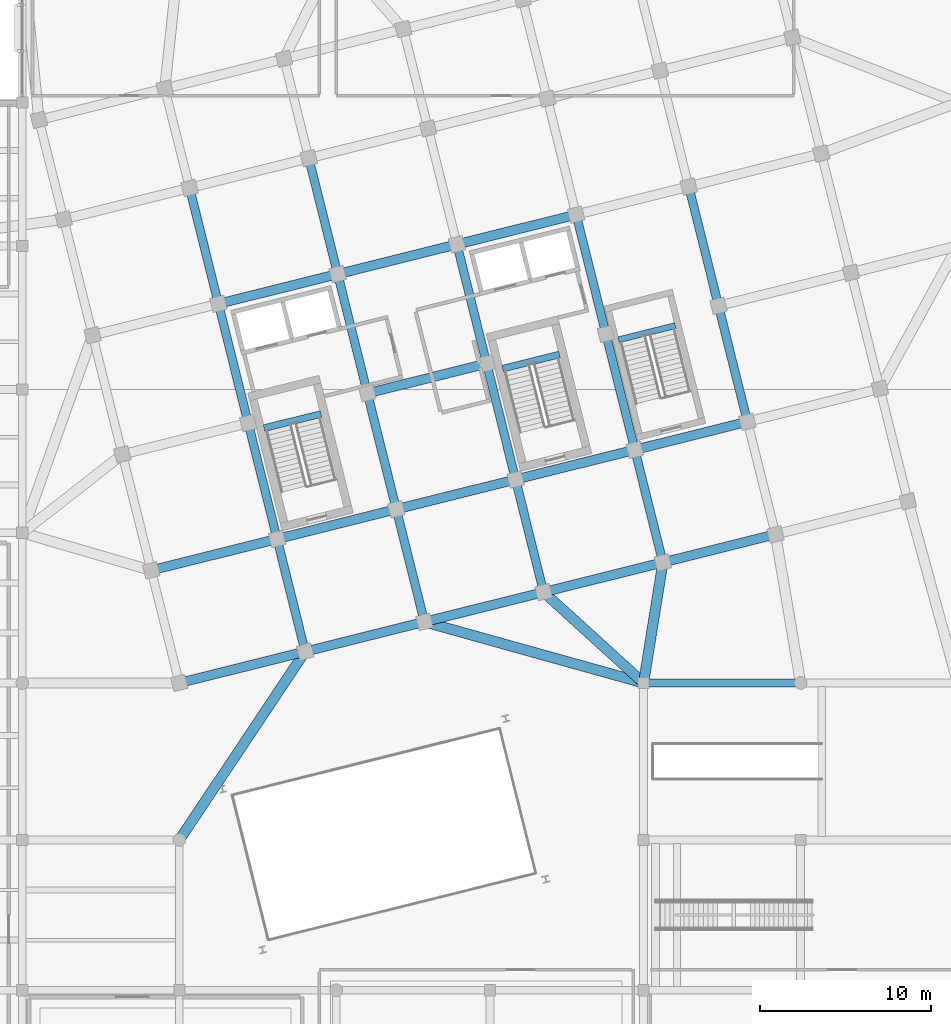
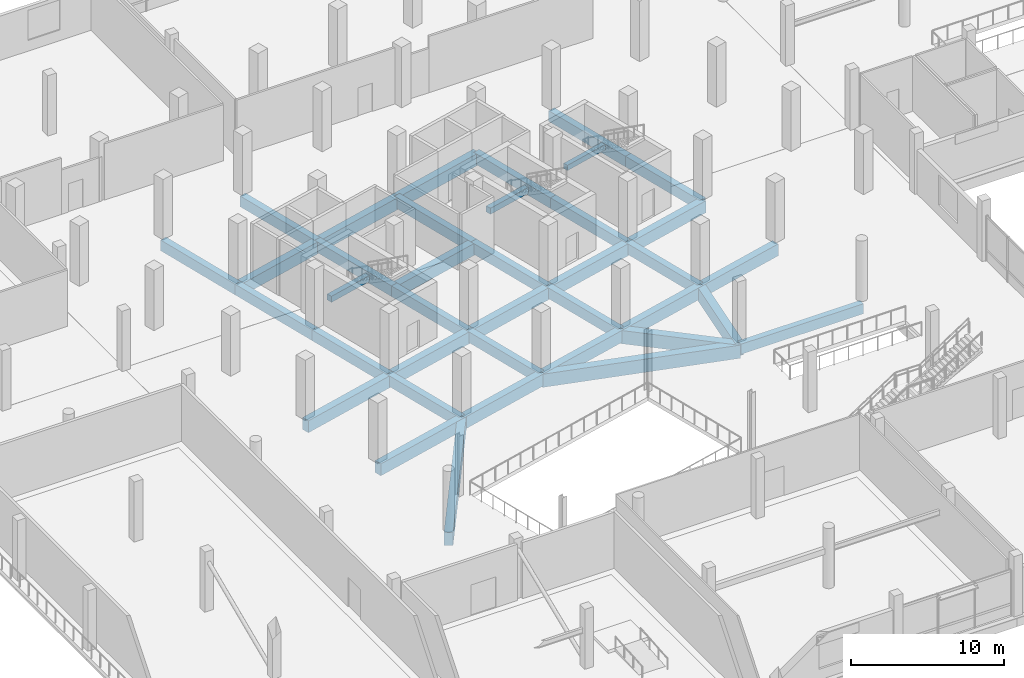
# One storey, part 22 of 71: 38 beams.
"""IFC4 building model written with IfcOpenShell, lengths in metres."""

from ifc_helpers import new_model, si_unit, direction, frame, origin, origin_2d, place, context, subcontext, project, spatial, rectangle, extrude, material, material_profile, profile_set, type_object, element, save


model = new_model("IFC4")

# Units and contexts
model_context = context("Model", 3, precision=1e-05, world=origin(), true_north=direction((0.0, 1.0)))
body_context = subcontext(model_context, "Body", "Model", "MODEL_VIEW")
ifc_project = project(units=[si_unit("LENGTHUNIT", "METRE"), si_unit("AREAUNIT", "SQUARE_METRE"), si_unit("VOLUMEUNIT", "CUBIC_METRE"), si_unit("PLANEANGLEUNIT", "RADIAN"), si_unit("MASSUNIT", "GRAM", prefix="KILO")], contexts=[model_context])

# Site, building, storey
site_placement = place(None, origin())
site = spatial("IfcSite", under=ifc_project, at=site_placement, CompositionType="ELEMENT")
building_placement = place(site_placement, origin())
building = spatial("IfcBuilding", under=site, at=building_placement, Name="Meriwether Solvik Hall", CompositionType="ELEMENT")
storey_placement = place(building_placement, frame((0.0, 0.0, 5.10009765625)))
storey = spatial("IfcBuildingStorey", under=building, at=storey_placement, Name="L01", CompositionType="ELEMENT", Elevation=5.10009765625)

# Beams
ifc_material_1 = material(Name="Concrete C40/50", Category="concrete")
ifc_material_profile_1 = material_profile(ifc_material_1, rectangle(XDim=0.35009765625, YDim=0.419921875, at=origin_2d()), Name="RCB-350X420")
ifc_profile_set_1 = profile_set([ifc_material_profile_1], Name="Concrete C40/50")
beam_type_1 = type_object("IfcBeamType", Name="BM-LND-RC-350X420", PredefinedType="BEAM", material=ifc_profile_set_1)
beam_1_placement = place(storey_placement, frame((94.330078125, 61.306884765625, 1.989990234375), z_axis=(0.970288447449, 0.24195108751, 0.0), x_axis=(-0.24195108751, 0.970288447449, 0.0)))
element("IfcBeam", 1, at=beam_1_placement, inside=storey, type_object=beam_type_1, Name="Stair ST-03 Half-Landing Header Beam (L01)", PredefinedType="BEAM", context=body_context, shape_type="SweptSolid", body=[
    extrude(rectangle(XDim=0.35009765625, YDim=0.419921875, at=origin_2d()), origin(), (0.0, 0.0, 1.0), 3.43994140625),
])
ifc_material_2 = material(Name="Concrete C40/50", Category="concrete")
ifc_material_profile_2 = material_profile(ifc_material_2, rectangle(XDim=0.39990234375, YDim=0.47998046875, at=origin_2d()), Name="RCB-400X480")
ifc_profile_set_2 = profile_set([ifc_material_profile_2], Name="Concrete C40/50")
beam_type_2 = type_object("IfcBeamType", Name="BM-LND-RC-400X480", PredefinedType="BEAM", material=ifc_profile_set_2)
for number, where, z_axis, x_axis, name in (
    (2, (73.565673828125, 56.1298828125, 1.9599609375), (0.970309259708, 0.2418676095, 0.0), (-0.2418676095, 0.970309259708, 0.0), "Stair ST-01 Half-Landing Header Beam (L01)"),
    (3, (87.537841796875, 59.613525390625, 1.9599609375), (0.970309259708, 0.2418676095, 0.0), (-0.2418676095, 0.970309259708, 0.0), "Stair ST-02 Half-Landing Header Beam (L01)"),
):
    element("IfcBeam", number, at=place(storey_placement, frame(where, z_axis=z_axis, x_axis=x_axis)), inside=storey, type_object=beam_type_2, Name=name, PredefinedType="BEAM", context=body_context, shape_type="SweptSolid", body=[
        extrude(rectangle(XDim=0.39990234375, YDim=0.47998046875, at=origin_2d()), origin(), (0.0, 0.0, 1.0), 3.43994140625),
    ])
ifc_material_3 = material(Name="Concrete C40/50", Category="concrete")
ifc_material_profile_3 = material_profile(ifc_material_3, rectangle(XDim=0.449951171875, YDim=0.800048828125, at=origin_2d()), Name="RCB-450X800")
ifc_profile_set_3 = profile_set([ifc_material_profile_3], Name="Concrete C40/50")
beam_type_3 = type_object("IfcBeamType", Name="BM-RC-450X800", PredefinedType="BEAM", material=ifc_profile_set_3)
beam_2_placement = place(storey_placement, frame((95.800048828125, 41.199951171875, -0.7001953125), z_axis=(1.0, 0.0, 0.0), x_axis=(0.0, 1.0, 0.0)))
element("IfcBeam", 4, at=beam_2_placement, inside=storey, type_object=beam_type_3, Name="Podium Girder E:11-12 (L01)", PredefinedType="BEAM", context=body_context, shape_type="SweptSolid", body=[
    extrude(rectangle(XDim=0.449951171875, YDim=0.800048828125, at=origin_2d()), origin(), (0.0, 0.0, 1.0), 9.199951171875),
])
ifc_material_4 = material(Name="Concrete C40/50", Category="concrete")
ifc_material_profile_4 = material_profile(ifc_material_4, rectangle(XDim=0.5, YDim=0.85009765625, at=origin_2d()), Name="RCB-500X850")
ifc_profile_set_4 = profile_set([ifc_material_profile_4], Name="Concrete C40/50")
beam_type_4 = type_object("IfcBeamType", Name="BM-RC-500X850", PredefinedType="BEAM", material=ifc_profile_set_4)
beam_3_placement = place(storey_placement, frame((75.974365234375, 43.03857421875, -0.72509765625), z_axis=(-0.241944251278, 0.970290152106, 0.0), x_axis=(-0.970290152106, -0.241944251278, 0.0)))
element("IfcBeam", 5, at=beam_3_placement, inside=storey, type_object=beam_type_4, Name="Tower Girder T2:TA-TB (L01)", PredefinedType="BEAM", context=body_context, shape_type="SweptSolid", body=[
    extrude(rectangle(XDim=0.5, YDim=0.85009765625, at=origin_2d()), origin(), (0.0, 0.0, 1.0), 6.80029296875),
])
beam_4_placement = place(storey_placement, frame((74.3291015625, 49.63671875, -0.72509765625), z_axis=(-0.241911879182, 0.970298223594, 0.0), x_axis=(-0.970298223594, -0.241911879182, 0.0)))
element("IfcBeam", 6, at=beam_4_placement, inside=storey, type_object=beam_type_4, Name="Tower Girder T2:TB-TC (L01)", PredefinedType="BEAM", context=body_context, shape_type="SweptSolid", body=[
    extrude(rectangle(XDim=0.5, YDim=0.85009765625, at=origin_2d()), origin(), (0.0, 0.0, 1.0), 7.0),
])
beam_5_placement = place(storey_placement, frame((72.6357421875, 56.4287109375, -0.72509765625), z_axis=(-0.241937193493, 0.970291911955, 0.0), x_axis=(-0.970291911955, -0.241937193493, 0.0)))
element("IfcBeam", 7, at=beam_5_placement, inside=storey, type_object=beam_type_4, Name="Tower Girder T2:TC-TD (L01)", PredefinedType="BEAM", context=body_context, shape_type="SweptSolid", body=[
    extrude(rectangle(XDim=0.5, YDim=0.85009765625, at=origin_2d()), origin(), (0.0, 0.0, 1.0), 7.199951171875),
])
beam_6_placement = place(storey_placement, frame((70.893798828125, 63.414794921875, -0.72509765625), z_axis=(-0.241911879182, 0.970298223594, 0.0), x_axis=(-0.970298223594, -0.241911879182, 0.0)))
element("IfcBeam", 8, at=beam_6_placement, inside=storey, type_object=beam_type_4, Name="Tower Girder T2:TD-TE (L01)", PredefinedType="BEAM", context=body_context, shape_type="SweptSolid", body=[
    extrude(rectangle(XDim=0.5, YDim=0.85009765625, at=origin_2d()), origin(), (0.0, 0.0, 1.0), 7.0),
])
beam_7_placement = place(storey_placement, frame((82.96044921875, 44.780517578125, -0.72509765625), z_axis=(-0.241918877831, 0.970296478685, 0.0), x_axis=(-0.970296478685, -0.241918877831, 0.0)))
element("IfcBeam", 9, at=beam_7_placement, inside=storey, type_object=beam_type_4, Name="Tower Girder T3:TA-TB (L01)", PredefinedType="BEAM", context=body_context, shape_type="SweptSolid", body=[
    extrude(rectangle(XDim=0.5, YDim=0.85009765625, at=origin_2d()), origin(), (0.0, 0.0, 1.0), 6.7998046875),
])
beam_8_placement = place(storey_placement, frame((81.3154296875, 51.37841796875, -0.72509765625), z_axis=(-0.241944715397, 0.970290036376, 0.0), x_axis=(-0.970290036376, -0.241944715397, 0.0)))
element("IfcBeam", 10, at=beam_8_placement, inside=storey, type_object=beam_type_4, Name="Tower Girder T3:TB-TC (L01)", PredefinedType="BEAM", context=body_context, shape_type="SweptSolid", body=[
    extrude(rectangle(XDim=0.5, YDim=0.85009765625, at=origin_2d()), origin(), (0.0, 0.0, 1.0), 7.0),
])
beam_9_placement = place(storey_placement, frame((79.621826171875, 58.17041015625, -0.72509765625), z_axis=(-0.241897310542, 0.970301855688, 0.0), x_axis=(-0.970301855688, -0.241897310542, 0.0)))
element("IfcBeam", 11, at=beam_9_placement, inside=storey, type_object=beam_type_4, Name="Tower Girder T3:TC-TD (L01)", PredefinedType="BEAM", context=body_context, shape_type="SweptSolid", body=[
    extrude(rectangle(XDim=0.5, YDim=0.85009765625, at=origin_2d()), origin(), (0.0, 0.0, 1.0), 7.2001953125),
])
beam_10_placement = place(storey_placement, frame((77.880126953125, 65.15673828125, -0.72509765625), z_axis=(-0.241944715397, 0.970290036376, 0.0), x_axis=(-0.970290036376, -0.241944715397, 0.0)))
element("IfcBeam", 12, at=beam_10_placement, inside=storey, type_object=beam_type_4, Name="Tower Girder T3:TD-TE (L01)", PredefinedType="BEAM", context=body_context, shape_type="SweptSolid", body=[
    extrude(rectangle(XDim=0.5, YDim=0.85009765625, at=origin_2d()), origin(), (0.0, 0.0, 1.0), 7.0),
])
beam_11_placement = place(storey_placement, frame((89.946533203125, 46.522216796875, -0.72509765625), z_axis=(-0.24191045034, 0.970298579828, 0.0), x_axis=(-0.970298579828, -0.24191045034, 0.0)))
element("IfcBeam", 13, at=beam_11_placement, inside=storey, type_object=beam_type_4, Name="Tower Girder T4:TA-TB (L01)", PredefinedType="BEAM", context=body_context, shape_type="SweptSolid", body=[
    extrude(rectangle(XDim=0.5, YDim=0.85009765625, at=origin_2d()), origin(), (0.0, 0.0, 1.0), 6.800048828125),
])
beam_12_placement = place(storey_placement, frame((88.301513671875, 53.120361328125, -0.72509765625), z_axis=(-0.241944715397, 0.970290036376, 0.0), x_axis=(-0.970290036376, -0.241944715397, 0.0)))
element("IfcBeam", 14, at=beam_12_placement, inside=storey, type_object=beam_type_4, Name="Tower Girder T4:TB-TC (L01)", PredefinedType="BEAM", context=body_context, shape_type="SweptSolid", body=[
    extrude(rectangle(XDim=0.5, YDim=0.85009765625, at=origin_2d()), origin(), (0.0, 0.0, 1.0), 7.0),
])
beam_13_placement = place(storey_placement, frame((86.60791015625, 59.912353515625, -0.72509765625), z_axis=(-0.241905269381, 0.970299871507, 0.0), x_axis=(-0.970299871507, -0.241905269381, 0.0)))
element("IfcBeam", 15, at=beam_13_placement, inside=storey, type_object=beam_type_4, Name="Tower Girder T4:TC-TD (L01)", PredefinedType="BEAM", context=body_context, shape_type="SweptSolid", body=[
    extrude(rectangle(XDim=0.5, YDim=0.85009765625, at=origin_2d()), origin(), (0.0, 0.0, 1.0), 7.199951171875),
])
beam_14_placement = place(storey_placement, frame((96.9326171875, 48.26416015625, -0.72509765625), z_axis=(-0.241918877831, 0.970296478685, 0.0), x_axis=(-0.970296478685, -0.241918877831, 0.0)))
element("IfcBeam", 16, at=beam_14_placement, inside=storey, type_object=beam_type_4, Name="Tower Girder T5:TA-TB (L01)", PredefinedType="BEAM", context=body_context, shape_type="SweptSolid", body=[
    extrude(rectangle(XDim=0.5, YDim=0.85009765625, at=origin_2d()), origin(), (0.0, 0.0, 1.0), 6.7998046875),
])
beam_15_placement = place(storey_placement, frame((95.28759765625, 54.862060546875, -0.72509765625), z_axis=(-0.241936527961, 0.970292077901, 0.0), x_axis=(-0.970292077901, -0.241936527961, 0.0)))
element("IfcBeam", 17, at=beam_15_placement, inside=storey, type_object=beam_type_4, Name="Tower Girder T5:TB-TC (L01)", PredefinedType="BEAM", context=body_context, shape_type="SweptSolid", body=[
    extrude(rectangle(XDim=0.5, YDim=0.85009765625, at=origin_2d()), origin(), (0.0, 0.0, 1.0), 7.000244140625),
])
beam_16_placement = place(storey_placement, frame((93.593994140625, 61.654296875, -0.72509765625), z_axis=(-0.241905269381, 0.970299871507, 0.0), x_axis=(-0.970299871507, -0.241905269381, 0.0)))
element("IfcBeam", 18, at=beam_16_placement, inside=storey, type_object=beam_type_4, Name="Tower Girder T5:TC-TD (L01)", PredefinedType="BEAM", context=body_context, shape_type="SweptSolid", body=[
    extrude(rectangle(XDim=0.5, YDim=0.85009765625, at=origin_2d()), origin(), (0.0, 0.0, 1.0), 7.199951171875),
])
beam_17_placement = place(storey_placement, frame((101.885498046875, 56.507080078125, -0.72509765625), z_axis=(-0.241903692719, 0.970300264582, 0.0), x_axis=(-0.970300264582, -0.241903692719, 0.0)))
element("IfcBeam", 19, at=beam_17_placement, inside=storey, type_object=beam_type_4, Name="Tower Girder T6:TB-TC (L01)", PredefinedType="BEAM", context=body_context, shape_type="SweptSolid", body=[
    extrude(rectangle(XDim=0.5, YDim=0.85009765625, at=origin_2d()), origin(), (0.0, 0.0, 1.0), 7.000244140625),
])
beam_18_placement = place(storey_placement, frame((100.192138671875, 63.29931640625, -0.72509765625), z_axis=(-0.241937193493, 0.970291911955, 0.0), x_axis=(-0.970291911955, -0.241937193493, 0.0)))
element("IfcBeam", 20, at=beam_18_placement, inside=storey, type_object=beam_type_4, Name="Tower Girder T6:TC-TD (L01)", PredefinedType="BEAM", context=body_context, shape_type="SweptSolid", body=[
    extrude(rectangle(XDim=0.5, YDim=0.85009765625, at=origin_2d()), origin(), (0.0, 0.0, 1.0), 7.199951171875),
])
ifc_material_5 = material(Name="Concrete C40/50", Category="concrete")
ifc_material_profile_5 = material_profile(ifc_material_5, rectangle(XDim=0.550048828125, YDim=0.949951171875, at=origin_2d()), Name="RCB-550X950")
ifc_profile_set_5 = profile_set([ifc_material_profile_5], Name="Concrete C40/50")
beam_type_5 = type_object("IfcBeamType", Name="BM-RC-550X950", PredefinedType="BEAM", material=ifc_profile_set_5)
beam_19_placement = place(storey_placement, frame((68.60009765625, 41.199951171875, -0.775146484375), z_axis=(0.970295366785, 0.241923337436, 0.0), x_axis=(-0.241923337436, 0.970295366785, 0.0)))
element("IfcBeam", 21, at=beam_19_placement, inside=storey, type_object=beam_type_5, Name="Tower Girder TA:T1-T2 (L01)", PredefinedType="BEAM", context=body_context, shape_type="SweptSolid", body=[
    extrude(rectangle(XDim=0.550048828125, YDim=0.949951171875, at=origin_2d()), origin(), (0.0, 0.0, 1.0), 7.60009765625),
])
for number, where, z_axis, x_axis, name in (
    (22, (75.974365234375, 43.03857421875, -0.775146484375), (0.970291911955, 0.241937193493, 0.0), (-0.241937193493, 0.970291911955, 0.0), "Tower Girder TA:T2-T3 (L01)"),
    (23, (82.96044921875, 44.780517578125, -0.775146484375), (0.970299871507, 0.241905269381, 0.0), (-0.241905269381, 0.970299871507, 0.0), "Tower Girder TA:T3-T4 (L01)"),
    (24, (89.946533203125, 46.522216796875, -0.775146484375), (0.970291911955, 0.241937193493, 0.0), (-0.241937193493, 0.970291911955, 0.0), "Tower Girder TA:T4-T5 (L01)"),
):
    element("IfcBeam", number, at=place(storey_placement, frame(where, z_axis=z_axis, x_axis=x_axis)), inside=storey, type_object=beam_type_5, Name=name, PredefinedType="BEAM", context=body_context, shape_type="SweptSolid", body=[
        extrude(rectangle(XDim=0.550048828125, YDim=0.949951171875, at=origin_2d()), origin(), (0.0, 0.0, 1.0), 7.199951171875),
    ])
beam_20_placement = place(storey_placement, frame((96.9326171875, 48.26416015625, -0.775146484375), z_axis=(0.970298579828, 0.24191045034, 0.0), x_axis=(-0.24191045034, 0.970298579828, 0.0)))
element("IfcBeam", 25, at=beam_20_placement, inside=storey, type_object=beam_type_5, Name="Tower Girder TA:T5-T6 (L01)", PredefinedType="BEAM", context=body_context, shape_type="SweptSolid", body=[
    extrude(rectangle(XDim=0.550048828125, YDim=0.949951171875, at=origin_2d()), origin(), (0.0, 0.0, 1.0), 6.800048828125),
])
beam_21_placement = place(storey_placement, frame((66.954833984375, 47.798095703125, -0.775146484375), z_axis=(0.970295366785, 0.241923337436, 0.0), x_axis=(-0.241923337436, 0.970295366785, 0.0)))
element("IfcBeam", 26, at=beam_21_placement, inside=storey, type_object=beam_type_5, Name="Tower Girder TB:T1-T2 (L01)", PredefinedType="BEAM", context=body_context, shape_type="SweptSolid", body=[
    extrude(rectangle(XDim=0.550048828125, YDim=0.949951171875, at=origin_2d()), origin(), (0.0, 0.0, 1.0), 7.60009765625),
])
beam_22_placement = place(storey_placement, frame((74.3291015625, 49.63671875, -0.775146484375), z_axis=(0.970301855688, 0.241897310542, 0.0), x_axis=(-0.241897310542, 0.970301855688, 0.0)))
element("IfcBeam", 27, at=beam_22_placement, inside=storey, type_object=beam_type_5, Name="Tower Girder TB:T2-T3 (L01)", PredefinedType="BEAM", context=body_context, shape_type="SweptSolid", body=[
    extrude(rectangle(XDim=0.550048828125, YDim=0.949951171875, at=origin_2d()), origin(), (0.0, 0.0, 1.0), 7.2001953125),
])
for number, where, z_axis, x_axis, name in (
    (28, (81.3154296875, 51.37841796875, -0.775146484375), (0.970291911955, 0.241937193493, 0.0), (-0.241937193493, 0.970291911955, 0.0), "Tower Girder TB:T3-T4 (L01)"),
    (29, (88.301513671875, 53.120361328125, -0.775146484375), (0.970299871507, 0.241905269381, 0.0), (-0.241905269381, 0.970299871507, 0.0), "Tower Girder TB:T4-T5 (L01)"),
):
    element("IfcBeam", number, at=place(storey_placement, frame(where, z_axis=z_axis, x_axis=x_axis)), inside=storey, type_object=beam_type_5, Name=name, PredefinedType="BEAM", context=body_context, shape_type="SweptSolid", body=[
        extrude(rectangle(XDim=0.550048828125, YDim=0.949951171875, at=origin_2d()), origin(), (0.0, 0.0, 1.0), 7.199951171875),
    ])
beam_23_placement = place(storey_placement, frame((95.28759765625, 54.862060546875, -0.775146484375), z_axis=(0.970296478685, 0.241918877831, 0.0), x_axis=(-0.241918877831, 0.970296478685, 0.0)))
element("IfcBeam", 30, at=beam_23_placement, inside=storey, type_object=beam_type_5, Name="Tower Girder TB:T5-T6 (L01)", PredefinedType="BEAM", context=body_context, shape_type="SweptSolid", body=[
    extrude(rectangle(XDim=0.550048828125, YDim=0.949951171875, at=origin_2d()), origin(), (0.0, 0.0, 1.0), 6.7998046875),
])
beam_24_placement = place(storey_placement, frame((79.621826171875, 58.17041015625, -0.775146484375), z_axis=(0.970291911955, 0.241937193493, 0.0), x_axis=(-0.241937193493, 0.970291911955, 0.0)))
element("IfcBeam", 31, at=beam_24_placement, inside=storey, type_object=beam_type_5, Name="Tower Girder TC:T3-T4 (L01)", PredefinedType="BEAM", context=body_context, shape_type="SweptSolid", body=[
    extrude(rectangle(XDim=0.550048828125, YDim=0.949951171875, at=origin_2d()), origin(), (0.0, 0.0, 1.0), 7.199951171875),
])
beam_25_placement = place(storey_placement, frame((70.893798828125, 63.414794921875, -0.775146484375), z_axis=(0.970293896644, 0.241929233735, 0.0), x_axis=(-0.241929233735, 0.970293896644, 0.0)))
element("IfcBeam", 32, at=beam_25_placement, inside=storey, type_object=beam_type_5, Name="Tower Girder TD:T2-T3 (L01)", PredefinedType="BEAM", context=body_context, shape_type="SweptSolid", body=[
    extrude(rectangle(XDim=0.550048828125, YDim=0.949951171875, at=origin_2d()), origin(), (0.0, 0.0, 1.0), 7.2001953125),
])
for number, where, z_axis, x_axis, name in (
    (33, (77.880126953125, 65.15673828125, -0.775146484375), (0.970299871507, 0.241905269381, 0.0), (-0.241905269381, 0.970299871507, 0.0), "Tower Girder TD:T3-T4 (L01)"),
    (34, (84.8662109375, 66.8984375, -0.775146484375), (0.970291911955, 0.241937193493, 0.0), (-0.241937193493, 0.970291911955, 0.0), "Tower Girder TD:T4-T5 (L01)"),
):
    element("IfcBeam", number, at=place(storey_placement, frame(where, z_axis=z_axis, x_axis=x_axis)), inside=storey, type_object=beam_type_5, Name=name, PredefinedType="BEAM", context=body_context, shape_type="SweptSolid", body=[
        extrude(rectangle(XDim=0.550048828125, YDim=0.949951171875, at=origin_2d()), origin(), (0.0, 0.0, 1.0), 7.199951171875),
    ])
ifc_material_6 = material(Name="Concrete C40/50", Category="concrete")
ifc_material_profile_6 = material_profile(ifc_material_6, rectangle(XDim=0.60009765625, YDim=1.050048828125, at=origin_2d()), Name="RCB-600X1050")
ifc_profile_set_6 = profile_set([ifc_material_profile_6], Name="Concrete C40/50")
beam_type_6 = type_object("IfcBeamType", Name="BM-RC-600X1050", PredefinedType="BEAM", material=ifc_profile_set_6)
beam_26_placement = place(storey_placement, frame((75.974365234375, 43.03857421875, -0.8251953125), z_axis=(-0.555493576882, -0.831520827185, 0.0), x_axis=(0.831520827185, -0.555493576882, 0.0)))
element("IfcBeam", 35, at=beam_26_placement, inside=storey, type_object=beam_type_6, Name="Diaphragm Collector Girder T2/TA-8/D (L01)", PredefinedType="BEAM", context=body_context, shape_type="SweptSolid", body=[
    extrude(rectangle(XDim=0.60009765625, YDim=1.050048828125, at=origin_2d()), origin(), (0.0, 0.0, 1.0), 13.275146484375),
])
beam_27_placement = place(storey_placement, frame((82.96044921875, 44.780517578125, -0.8251953125), z_axis=(0.963246352106, -0.268619554676, 0.0), x_axis=(0.268619554676, 0.963246352106, 0.0)))
element("IfcBeam", 36, at=beam_27_placement, inside=storey, type_object=beam_type_6, Name="Diaphragm Collector Girder T3/TA-11/E (L01)", PredefinedType="BEAM", context=body_context, shape_type="SweptSolid", body=[
    extrude(rectangle(XDim=0.60009765625, YDim=1.050048828125, at=origin_2d()), origin(), (0.0, 0.0, 1.0), 13.32958984375),
])
beam_28_placement = place(storey_placement, frame((89.946533203125, 46.522216796875, -0.8251953125), z_axis=(0.739884216785, -0.672734231144, 0.0), x_axis=(0.672734231144, 0.739884216785, 0.0)))
element("IfcBeam", 37, at=beam_28_placement, inside=storey, type_object=beam_type_6, Name="Diaphragm Collector Girder T4/TA-11/E (L01)", PredefinedType="BEAM", context=body_context, shape_type="SweptSolid", body=[
    extrude(rectangle(XDim=0.60009765625, YDim=1.050048828125, at=origin_2d()), origin(), (0.0, 0.0, 1.0), 7.911376953125),
])
beam_29_placement = place(storey_placement, frame((96.9326171875, 48.26416015625, -0.8251953125), z_axis=(-0.158303256143, -0.98739054031, 0.0), x_axis=(0.98739054031, -0.158303256143, 0.0)))
element("IfcBeam", 38, at=beam_29_placement, inside=storey, type_object=beam_type_6, Name="Diaphragm Collector Girder T5/TA-11/E (L01)", PredefinedType="BEAM", context=body_context, shape_type="SweptSolid", body=[
    extrude(rectangle(XDim=0.60009765625, YDim=1.050048828125, at=origin_2d()), origin(), (0.0, 0.0, 1.0), 7.154541015625),
])

save(model, "model.ifc")
